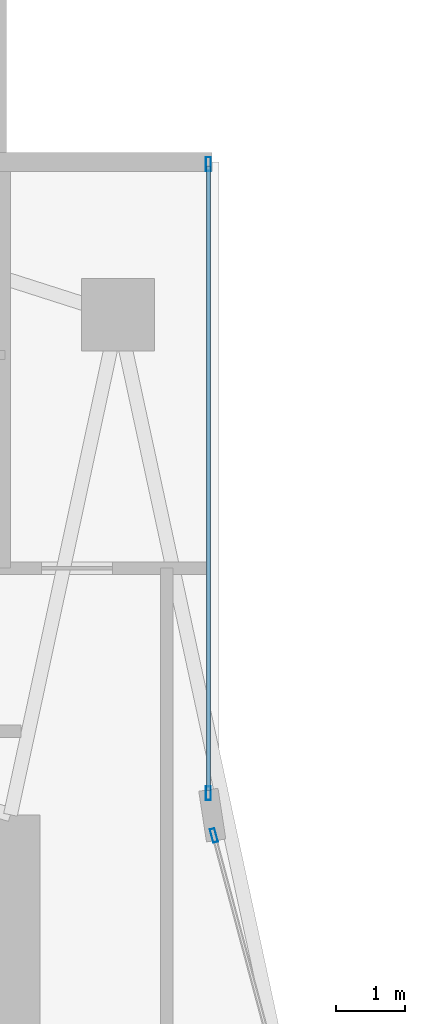
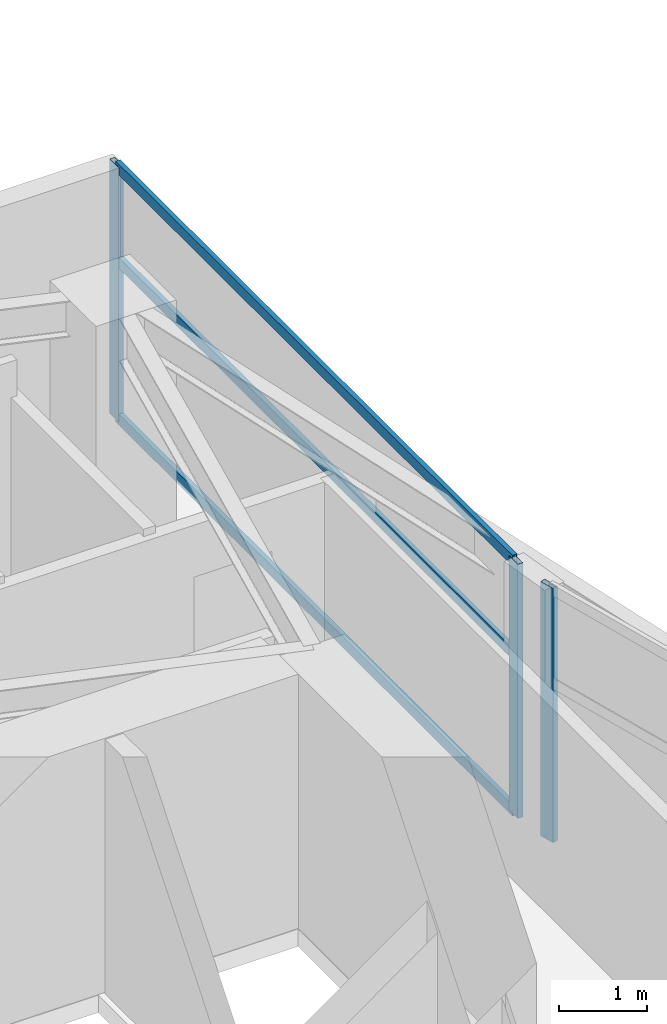
# One storey, part 18 of 28: 6 members, 2 elements without a shape of their own.
"""IFC4 building model written with IfcOpenShell, lengths in metres."""

from ifc_helpers import new_model, si_unit, direction, frame, origin, origin_2d, place, context, subcontext, project, spatial, hollow_rectangle, extrude, material, layer, layer_set, material_profile, profile_set, type_object, element, aggregate, save


model = new_model("IFC4")

# Units and contexts
model_context = context("Model", 3, precision=1e-05, world=origin(), true_north=direction((0.0, 1.0)))
body_context = subcontext(model_context, "Body", "Model", "MODEL_VIEW")
ifc_project = project(units=[si_unit("LENGTHUNIT", "METRE"), si_unit("AREAUNIT", "SQUARE_METRE"), si_unit("VOLUMEUNIT", "CUBIC_METRE"), si_unit("PLANEANGLEUNIT", "RADIAN"), si_unit("MASSUNIT", "GRAM", prefix="KILO")], contexts=[model_context])

# Site, building, storey
site_placement = place(None, origin())
site = spatial("IfcSite", under=ifc_project, at=site_placement, CompositionType="ELEMENT")
building_placement = place(site_placement, origin())
building = spatial("IfcBuilding", under=site, at=building_placement, Name="Calvorn Quay Hotel", CompositionType="ELEMENT")
storey_placement = place(building_placement, frame((0.0, 0.0, 182.699951171875)))
storey = spatial("IfcBuildingStorey", under=building, at=storey_placement, Name="L45", CompositionType="ELEMENT", Elevation=182.699951171875)

# Curtain wall, member
ifc_material_1 = material(Name="Pale Anodised Aluminium and Low-E Glass", Category="aluminium")
ifc_layer = layer(ifc_material_1, 0.219970703125)
ifc_layer_set = layer_set([ifc_layer], Name="CW-SYS-Z2")
curtain_wall_type = type_object("IfcCurtainWallType", Name="CW-SYS-Z2", PredefinedType="NOTDEFINED", material=ifc_layer_set)
curtain_wall_1_placement = place(storey_placement, origin())
curtain_wall_1 = element("IfcCurtainWall", 1, at=curtain_wall_1_placement, inside=storey, type_object=curtain_wall_type, Name="Inner Court Curtain Wall L45-IC1", PredefinedType="NOTDEFINED")
ifc_material_2 = material(Name="Pale Anodised Aluminium 6063-T6", Category="aluminium")
ifc_material_profile_1 = material_profile(ifc_material_2, hollow_rectangle(XDim=0.070068359375, YDim=0.199951171875, WallThickness=0.00390625, at=origin_2d()), Name="ALU-M200x70x4")
ifc_profile_set_1 = profile_set([ifc_material_profile_1], Name="Pale Anodised Aluminium 6063-T6")
member_type_1 = type_object("IfcMemberType", Name="CW-SYS-Z2-MUL", PredefinedType="MULLION", material=ifc_profile_set_1)
member_1_placement = place(storey_placement, frame((17.9296875, 38.10107421875, 0.0), z_axis=(0.0, 0.0, 1.0), x_axis=(-0.96593652056, -0.25877913024, 0.0)))
member_1 = element("IfcMember", 2, at=member_1_placement, type_object=member_type_1, Name="CW-L45-IC1 mullion 2", PredefinedType="MULLION", context=body_context, shape_type="SweptSolid", body=[
    extrude(hollow_rectangle(XDim=0.070068359375, YDim=0.199951171875, WallThickness=0.00390625, at=origin_2d()), origin(), (0.0, 0.0, 1.0), 3.52001953125),
])
aggregate(curtain_wall_1, [member_1])

# Curtain wall, members
curtain_wall_2_placement = place(storey_placement, origin())
curtain_wall_2 = element("IfcCurtainWall", 3, at=curtain_wall_2_placement, inside=storey, type_object=curtain_wall_type, Name="Inner Court Curtain Wall L45-IC2", PredefinedType="NOTDEFINED")
member_2_placement = place(storey_placement, frame((17.85009765625, 38.7099609375, 0.0), z_axis=(0.0, 0.0, 1.0), x_axis=(-1.0, 0.0, 0.0)))
member_2 = element("IfcMember", 4, at=member_2_placement, type_object=member_type_1, Name="CW-L45-IC2 mullion 1", PredefinedType="MULLION", context=body_context, shape_type="SweptSolid", body=[
    extrude(hollow_rectangle(XDim=0.070068359375, YDim=0.199951171875, WallThickness=0.00390625, at=origin_2d()), origin(), (0.0, 0.0, 1.0), 3.52001953125),
])
member_3_placement = place(storey_placement, frame((17.85009765625, 47.77001953125, 0.0), z_axis=(0.0, 0.0, 1.0), x_axis=(-1.0, 0.0, 0.0)))
member_3 = element("IfcMember", 5, at=member_3_placement, type_object=member_type_1, Name="CW-L45-IC2 mullion 2", PredefinedType="MULLION", context=body_context, shape_type="SweptSolid", body=[
    extrude(hollow_rectangle(XDim=0.070068359375, YDim=0.199951171875, WallThickness=0.00390625, at=origin_2d()), origin(), (0.0, 0.0, 1.0), 3.52001953125),
])
ifc_material_3 = material(Name="Pale Anodised Aluminium 6063-T6", Category="aluminium")
ifc_material_profile_2 = material_profile(ifc_material_3, hollow_rectangle(XDim=0.06005859375, YDim=0.14990234375, WallThickness=0.00341796875, at=origin_2d()), Name="ALU-T150x60x3.5")
ifc_profile_set_2 = profile_set([ifc_material_profile_2], Name="Pale Anodised Aluminium 6063-T6")
member_type_2 = type_object("IfcMemberType", Name="CW-SYS-Z2-TRN", PredefinedType="USERDEFINED", material=ifc_profile_set_2)
member_4_placement = place(storey_placement, frame((17.85009765625, 38.739990234375, 0.030029296875), z_axis=(0.0, 1.0, 0.0), x_axis=(-1.0, 0.0, 0.0)))
member_4 = element("IfcMember", 6, at=member_4_placement, type_object=member_type_2, Name="CW-L45-IC2 transom 1.1", ObjectType="TRANSOM", PredefinedType="USERDEFINED", context=body_context, shape_type="SweptSolid", body=[
    extrude(hollow_rectangle(XDim=0.06005859375, YDim=0.14990234375, WallThickness=0.00341796875, at=origin_2d()), origin(), (0.0, 0.0, 1.0), 9.0),
])
member_5_placement = place(storey_placement, frame((17.85009765625, 38.739990234375, 2.199951171875), z_axis=(0.0, 1.0, 0.0), x_axis=(-1.0, 0.0, 0.0)))
member_5 = element("IfcMember", 7, at=member_5_placement, type_object=member_type_2, Name="CW-L45-IC2 transom 1.2", ObjectType="TRANSOM", PredefinedType="USERDEFINED", context=body_context, shape_type="SweptSolid", body=[
    extrude(hollow_rectangle(XDim=0.06005859375, YDim=0.14990234375, WallThickness=0.00341796875, at=origin_2d()), origin(), (0.0, 0.0, 1.0), 9.0),
])
member_6_placement = place(storey_placement, frame((17.85009765625, 38.739990234375, 3.489990234375), z_axis=(0.0, 1.0, 0.0), x_axis=(-1.0, 0.0, 0.0)))
member_6 = element("IfcMember", 8, at=member_6_placement, type_object=member_type_2, Name="CW-L45-IC2 transom 1.3", ObjectType="TRANSOM", PredefinedType="USERDEFINED", context=body_context, shape_type="SweptSolid", body=[
    extrude(hollow_rectangle(XDim=0.06005859375, YDim=0.14990234375, WallThickness=0.00341796875, at=origin_2d()), origin(), (0.0, 0.0, 1.0), 9.0),
])
aggregate(curtain_wall_2, [member_2, member_3, member_4, member_5, member_6])

save(model, "model.ifc")
